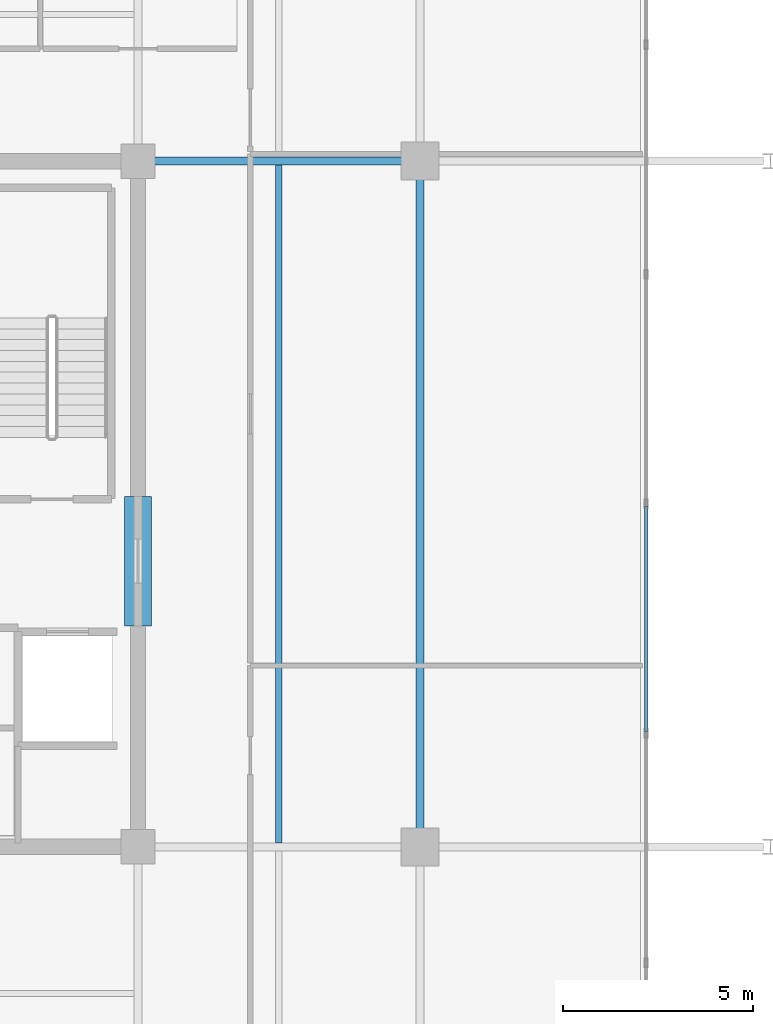
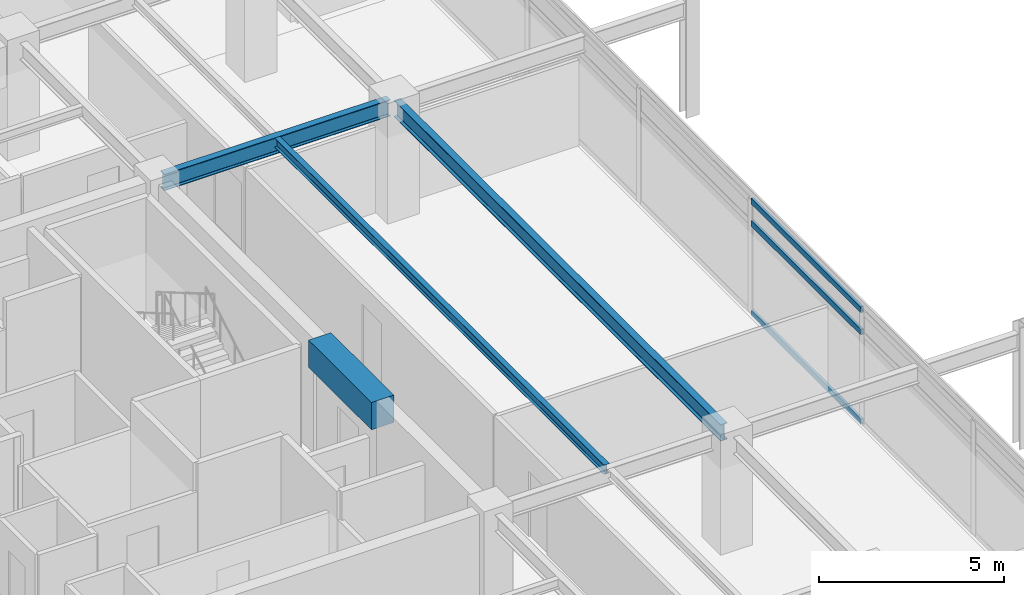
# One storey, part 8 of 20: 4 beams, 3 members, 1 element without a shape of its own.
"""IFC4 building model written with IfcOpenShell, lengths in metres."""

from ifc_helpers import new_model, si_unit, direction, frame, origin, origin_2d, place, context, subcontext, project, spatial, rectangle, hollow_rectangle, i_section, extrude, material, material_profile, profile_set, type_object, element, aggregate, save


model = new_model("IFC4")

# Units and contexts
model_context = context("Model", 3, precision=1e-05, world=origin(), true_north=direction((0.0, 1.0)))
body_context = subcontext(model_context, "Body", "Model", "MODEL_VIEW")
ifc_project = project(units=[si_unit("LENGTHUNIT", "METRE"), si_unit("AREAUNIT", "SQUARE_METRE"), si_unit("VOLUMEUNIT", "CUBIC_METRE"), si_unit("PLANEANGLEUNIT", "RADIAN"), si_unit("MASSUNIT", "GRAM", prefix="KILO")], contexts=[model_context])

# Site, building, storey
site_placement = place(None, origin())
site = spatial("IfcSite", under=ifc_project, at=site_placement, CompositionType="ELEMENT")
building_placement = place(site_placement, origin())
building = spatial("IfcBuilding", under=site, at=building_placement, Name="Kovane Verandah Tower", CompositionType="ELEMENT")
storey_placement = place(building_placement, frame((0.0, 0.0, 334.800048828125)))
storey = spatial("IfcBuildingStorey", under=building, at=storey_placement, Name="L78", CompositionType="ELEMENT", Elevation=334.800048828125)

# Beams
ifc_material_1 = material(Name="Concrete C60/75", Category="concrete")
ifc_material_profile_1 = material_profile(ifc_material_1, rectangle(XDim=0.699951171875, YDim=0.89990234375, at=origin_2d()), Name="RCB700x900")
ifc_profile_set_1 = profile_set([ifc_material_profile_1], Name="Concrete C60/75")
beam_type_1 = type_object("IfcBeamType", Name="BM-LINTEL-700x900", PredefinedType="LINTEL", material=ifc_profile_set_1)
beam_1_placement = place(storey_placement, frame((51.0, 24.300048828125, 3.3349609375), z_axis=(0.0, 1.0, 0.0), x_axis=(-1.0, 0.0, 0.0)))
element("IfcBeam", 1, at=beam_1_placement, inside=storey, type_object=beam_type_1, Name="L78 Core Coupling Lintel CL-E", PredefinedType="LINTEL", context=body_context, shape_type="SweptSolid", body=[
    extrude(rectangle(XDim=0.699951171875, YDim=0.89990234375, at=origin_2d()), origin(), (0.0, 0.0, 1.0), 3.39990234375),
])
ifc_material_2 = material(Name="Steel S355", Category="steel")
ifc_material_profile_2 = material_profile(ifc_material_2, i_section(OverallWidth=0.2119140625, OverallDepth=0.54443359375, WebThickness=0.0126953125, FlangeThickness=0.021240234375, FilletRadius=0.0126953125, at=origin_2d()), Name="UB533x210x122")
ifc_profile_set_2 = profile_set([ifc_material_profile_2], Name="Steel S355")
beam_type_2 = type_object("IfcBeamType", Name="BM-UB533x122", PredefinedType="BEAM", material=ifc_profile_set_2)
beam_2_placement = place(storey_placement, frame((58.39990234375, 18.679931640625, 3.5126953125), z_axis=(0.0, 1.0, 0.0), x_axis=(-1.0, 0.0, 0.0)))
element("IfcBeam", 2, at=beam_2_placement, inside=storey, type_object=beam_type_2, Name="L78 Primary Tower Girder G-RE2", PredefinedType="BEAM", context=body_context, shape_type="SweptSolid", body=[
    extrude(i_section(OverallWidth=0.2119140625, OverallDepth=0.54443359375, WebThickness=0.0126953125, FlangeThickness=0.021240234375, FilletRadius=0.0126953125, at=origin_2d()), origin(), (0.0, 0.0, 1.0), 17.64013671875),
])
beam_3_placement = place(storey_placement, frame((51.179931640625, 36.5, 3.5126953125), z_axis=(1.0, 0.0, 0.0), x_axis=(0.0, 1.0, 0.0)))
element("IfcBeam", 3, at=beam_3_placement, inside=storey, type_object=beam_type_2, Name="L78 Primary Tower Girder G-E2", PredefinedType="BEAM", context=body_context, shape_type="SweptSolid", body=[
    extrude(i_section(OverallWidth=0.2119140625, OverallDepth=0.54443359375, WebThickness=0.0126953125, FlangeThickness=0.021240234375, FilletRadius=0.0126953125, at=origin_2d()), origin(), (0.0, 0.0, 1.0), 7.0400390625),
])

# Curtain wall, members
ifc_material_3 = material(Name="Champagne Anodised Aluminium Frame with Low-E Clear Laminated Glass", Category="aluminium")
curtain_wall_type = type_object("IfcCurtainWallType", Name="CW-SYS-05-HIGH", PredefinedType="NOTDEFINED", material=ifc_material_3)
curtain_wall_placement = place(storey_placement, origin())
curtain_wall = element("IfcCurtainWall", 4, at=curtain_wall_placement, inside=storey, type_object=curtain_wall_type, Name="L78 E Unitised Curtain Wall", PredefinedType="NOTDEFINED")
ifc_material_4 = material(Name="Champagne Anodised Aluminium 6063-T6", Category="aluminium")
ifc_material_profile_3 = material_profile(ifc_material_4, hollow_rectangle(XDim=0.0849609375, YDim=0.18994140625, WallThickness=0.00390625, at=origin_2d()), Name="AL85x190x4")
ifc_profile_set_3 = profile_set([ifc_material_profile_3], Name="Champagne Anodised Aluminium 6063-T6")
member_type = type_object("IfcMemberType", Name="CW-TRN-85x190", PredefinedType="USERDEFINED", material=ifc_profile_set_3)
member_1_placement = place(storey_placement, frame((64.344482421875, 21.52587890625, 0.050048828125), z_axis=(0.0, 1.0, 0.0), x_axis=(-1.0, 0.0, 0.0)))
member_1 = element("IfcMember", 5, at=member_1_placement, type_object=member_type, Name="L78 E Unitised Curtain Wall Transom TB Bay 3", ObjectType="TRANSOM", PredefinedType="USERDEFINED", context=body_context, shape_type="SweptSolid", body=[
    extrude(hollow_rectangle(XDim=0.0849609375, YDim=0.18994140625, WallThickness=0.00390625, at=origin_2d()), origin(), (0.0, 0.0, 1.0), 5.924072265625),
])
member_2_placement = place(storey_placement, frame((64.344482421875, 21.52587890625, 3.0048828125), z_axis=(0.0, 1.0, 0.0), x_axis=(-1.0, 0.0, 0.0)))
member_2 = element("IfcMember", 6, at=member_2_placement, type_object=member_type, Name="L78 E Unitised Curtain Wall Transom TM Bay 3", ObjectType="TRANSOM", PredefinedType="USERDEFINED", context=body_context, shape_type="SweptSolid", body=[
    extrude(hollow_rectangle(XDim=0.0849609375, YDim=0.18994140625, WallThickness=0.00390625, at=origin_2d()), origin(), (0.0, 0.0, 1.0), 5.924072265625),
])
member_3_placement = place(storey_placement, frame((64.344482421875, 21.52587890625, 3.73486328125), z_axis=(0.0, 1.0, 0.0), x_axis=(-1.0, 0.0, 0.0)))
member_3 = element("IfcMember", 7, at=member_3_placement, type_object=member_type, Name="L78 E Unitised Curtain Wall Transom TT Bay 3", ObjectType="TRANSOM", PredefinedType="USERDEFINED", context=body_context, shape_type="SweptSolid", body=[
    extrude(hollow_rectangle(XDim=0.0849609375, YDim=0.18994140625, WallThickness=0.00390625, at=origin_2d()), origin(), (0.0, 0.0, 1.0), 5.924072265625),
])
aggregate(curtain_wall, [member_1, member_2, member_3])

# Beam
ifc_material_profile_4 = material_profile(ifc_material_2, i_section(OverallWidth=0.1669921875, OverallDepth=0.310302734375, WebThickness=0.0078125, FlangeThickness=0.013671875, FilletRadius=0.0087890625, at=origin_2d()), Name="UB305x165x54")
ifc_profile_set_4 = profile_set([ifc_material_profile_4], Name="Steel S355")
beam_type_3 = type_object("IfcBeamType", Name="JST-UB305x54", PredefinedType="JOIST", material=ifc_profile_set_4)
beam_4_placement = place(storey_placement, frame((54.699951171875, 18.60400390625, 3.629638671875), z_axis=(0.0, 1.0, 0.0), x_axis=(-1.0, 0.0, 0.0)))
element("IfcBeam", 8, at=beam_4_placement, inside=storey, type_object=beam_type_3, Name="L78 Secondary Composite Joist J-E1", PredefinedType="JOIST", context=body_context, shape_type="SweptSolid", body=[
    extrude(i_section(OverallWidth=0.1669921875, OverallDepth=0.310302734375, WebThickness=0.0078125, FlangeThickness=0.013671875, FilletRadius=0.0087890625, at=origin_2d()), origin(), (0.0, 0.0, 1.0), 17.7919921875),
])

save(model, "model.ifc")
